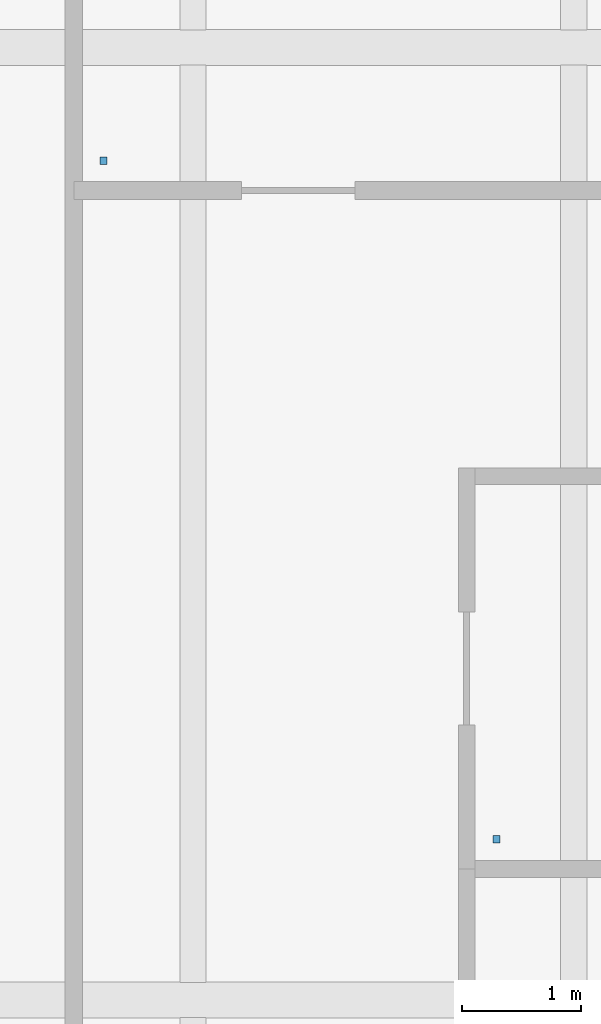
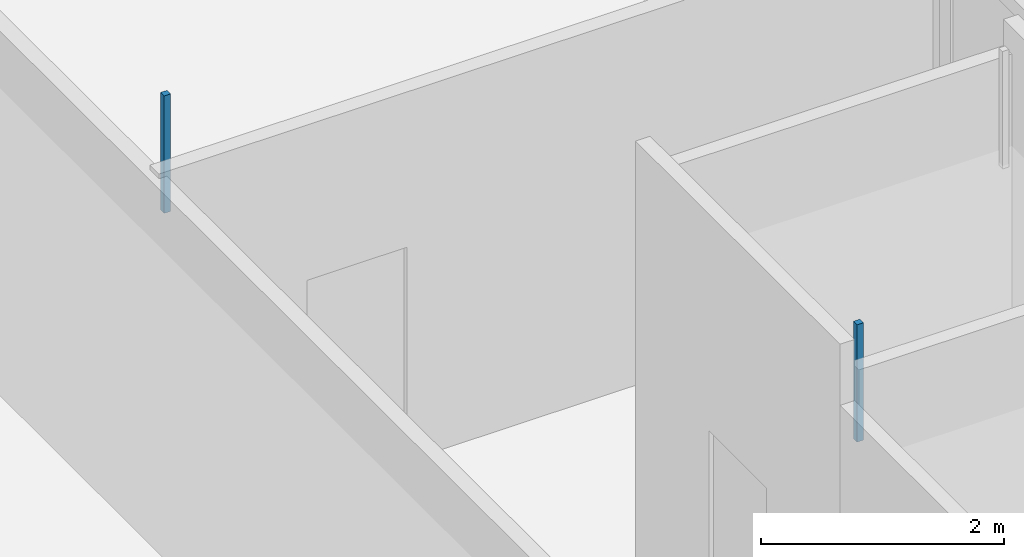
# One storey, part 40 of 59: 2 discrete accessories.
"""IFC4 building model written with IfcOpenShell, lengths in metres."""

from ifc_helpers import new_model, si_unit, direction, frame, origin, place, context, subcontext, project, spatial, polyline, outline, extrude, material, type_object, element, save


model = new_model("IFC4")

# Units and contexts
model_context = context("Model", 3, precision=1e-05, world=origin(), true_north=direction((0.0, 1.0)))
body_context = subcontext(model_context, "Body", "Model", "MODEL_VIEW")
ifc_project = project(units=[si_unit("LENGTHUNIT", "METRE"), si_unit("AREAUNIT", "SQUARE_METRE"), si_unit("VOLUMEUNIT", "CUBIC_METRE"), si_unit("PLANEANGLEUNIT", "RADIAN"), si_unit("MASSUNIT", "GRAM", prefix="KILO")], contexts=[model_context])

# Site, building, storey
site_placement = place(None, origin())
site = spatial("IfcSite", under=ifc_project, at=site_placement, CompositionType="ELEMENT")
building_placement = place(site_placement, origin())
building = spatial("IfcBuilding", under=site, at=building_placement, Name="Dunescarp Central Library", CompositionType="ELEMENT")
storey_placement = place(building_placement, frame((0.0, 0.0, 18.60009765625)))
storey = spatial("IfcBuildingStorey", under=building, at=storey_placement, Name="L04", CompositionType="ELEMENT", Elevation=18.60009765625)

# Discrete accessories
ifc_material = material(Name="Stainless steel Grade 316L", Category="steel")
discrete_accessory_type = type_object("IfcDiscreteAccessoryType", Name="ARC-ACC-BRK", PredefinedType="BRACKET", material=ifc_material)
discrete_accessory_1_placement = place(storey_placement, frame((0.0, 0.0, 3.059814453125)))
element("IfcDiscreteAccessory", 1, at=discrete_accessory_1_placement, inside=storey, type_object=discrete_accessory_type, Name="L04 ceiling hanger CLG-L04-030-H1", PredefinedType="BRACKET", context=body_context, shape_type="SweptSolid", body=[
    extrude(outline(polyline([(29.719970703125, 22.1201171875), (29.780029296875, 22.1201171875), (29.780029296875, 22.179931640625), (29.719970703125, 22.179931640625), (29.719970703125, 22.1201171875)])), origin(), (0.0, 0.0, 1.0), 1.18017578125),
])
discrete_accessory_2_placement = place(storey_placement, frame((0.0, 0.0, 3.059814453125)))
element("IfcDiscreteAccessory", 2, at=discrete_accessory_2_placement, inside=storey, type_object=discrete_accessory_type, Name="L04 ceiling hanger CLG-L04-035-H1", PredefinedType="BRACKET", context=body_context, shape_type="SweptSolid", body=[
    extrude(outline(polyline([(26.419921875, 27.820068359375), (26.47998046875, 27.820068359375), (26.47998046875, 27.8798828125), (26.419921875, 27.8798828125), (26.419921875, 27.820068359375)])), origin(), (0.0, 0.0, 1.0), 1.18017578125),
])

save(model, "model.ifc")
